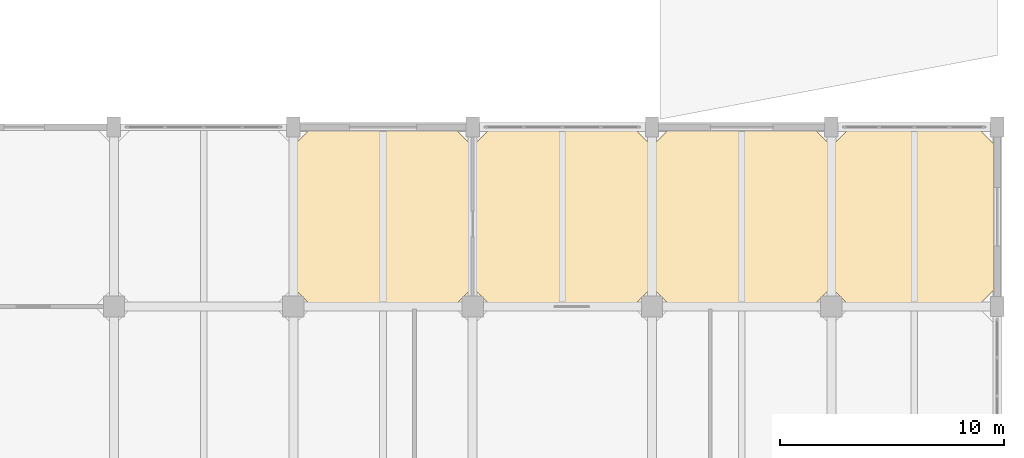
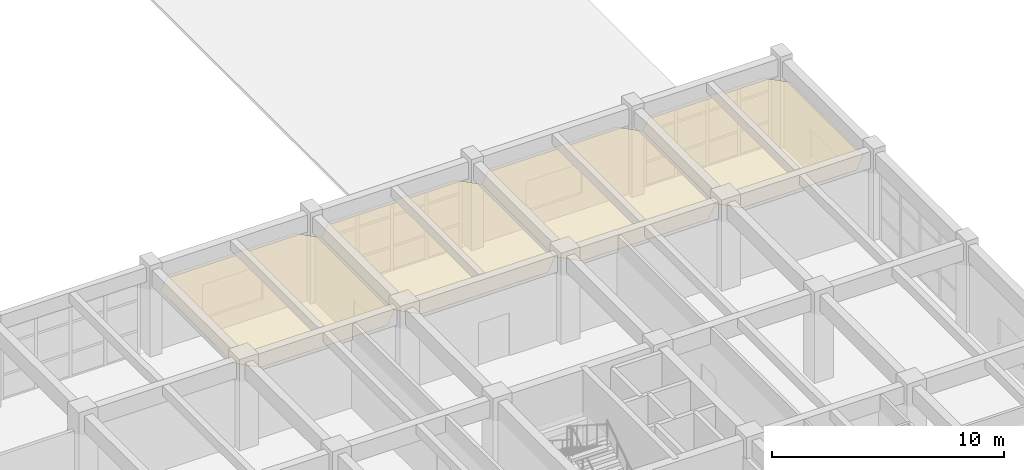
# One storey, part 63 of 63: 4 coverings.
"""IFC4 building model written with IfcOpenShell, lengths in metres."""

from ifc_helpers import new_model, si_unit, direction, frame, origin, place, context, subcontext, project, spatial, polyline, outline, extrude, material, layer, layer_set, type_object, element, save


model = new_model("IFC4")

# Units and contexts
model_context = context("Model", 3, precision=1e-05, world=origin(), true_north=direction((0.0, 1.0)))
body_context = subcontext(model_context, "Body", "Model", "MODEL_VIEW")
ifc_project = project(units=[si_unit("LENGTHUNIT", "METRE"), si_unit("AREAUNIT", "SQUARE_METRE"), si_unit("VOLUMEUNIT", "CUBIC_METRE"), si_unit("PLANEANGLEUNIT", "RADIAN"), si_unit("MASSUNIT", "GRAM", prefix="KILO")], contexts=[model_context])

# Site, building, storey
site_placement = place(None, origin())
site = spatial("IfcSite", under=ifc_project, at=site_placement, CompositionType="ELEMENT")
building_placement = place(site_placement, origin())
building = spatial("IfcBuilding", under=site, at=building_placement, Name="Canggui Botanical Conservatory", CompositionType="ELEMENT")
storey_placement = place(building_placement, frame((0.0, 0.0, 10.199951171875)))
storey = spatial("IfcBuildingStorey", under=building, at=storey_placement, Name="L03", CompositionType="ELEMENT", Elevation=10.199951171875)

# Coverings
ifc_material_1 = material(Name="Mineral Fibre Acoustic Board")
ifc_layer_1 = layer(ifc_material_1, 0.014892578125, Name="Mineral Fibre Acoustic Board")
ifc_layer_set_1 = layer_set([ifc_layer_1], Name="Mineral Fibre Acoustic Board")
covering_type_1 = type_object("IfcCoveringType", Name="COV-CEIL-15", PredefinedType="CEILING", material=ifc_layer_set_1)
covering_1_placement = place(storey_placement, frame((0.0, 0.0, 3.635009765625)))
element("IfcCovering", 1, at=covering_1_placement, inside=storey, type_object=covering_type_1, Name="Suspended Acoustic Ceiling L03-146-74", PredefinedType="CEILING", context=body_context, shape_type="SweptSolid", body=[
    extrude(outline(polyline([(146.85009765625, 74.0), (153.14990234375, 74.0), (154.0, 74.85009765625), (154.0, 81.14990234375), (153.14990234375, 82.0), (146.85009765625, 82.0), (146.0, 81.14990234375), (146.0, 74.85009765625), (146.85009765625, 74.0)])), origin(), (0.0, 0.0, 1.0), 0.01513671875),
])
covering_2_placement = place(storey_placement, frame((0.0, 0.0, 3.635009765625)))
element("IfcCovering", 2, at=covering_2_placement, inside=storey, type_object=covering_type_1, Name="Suspended Acoustic Ceiling L03-162-74", PredefinedType="CEILING", context=body_context, shape_type="SweptSolid", body=[
    extrude(outline(polyline([(162.85009765625, 74.0), (169.14990234375, 74.0), (170.0, 74.85009765625), (170.0, 81.14990234375), (169.14990234375, 82.0), (162.85009765625, 82.0), (162.0, 81.14990234375), (162.0, 74.85009765625), (162.85009765625, 74.0)])), origin(), (0.0, 0.0, 1.0), 0.01513671875),
])
ifc_material_2 = material(Name="Perforated Gypsum Acoustic Panel")
ifc_layer_2 = layer(ifc_material_2, 0.02001953125, Name="Perforated Gypsum Acoustic Panel")
ifc_layer_set_2 = layer_set([ifc_layer_2], Name="Perforated Gypsum Acoustic Panel")
covering_type_2 = type_object("IfcCoveringType", Name="COV-CEIL-20", PredefinedType="CEILING", material=ifc_layer_set_2)
covering_3_placement = place(storey_placement, frame((0.0, 0.0, 3.630126953125)))
element("IfcCovering", 3, at=covering_3_placement, inside=storey, type_object=covering_type_2, Name="Suspended Acoustic Ceiling L03-154-74", PredefinedType="CEILING", context=body_context, shape_type="SweptSolid", body=[
    extrude(outline(polyline([(154.85009765625, 74.0), (161.14990234375, 74.0), (162.0, 74.85009765625), (162.0, 81.14990234375), (161.14990234375, 82.0), (154.85009765625, 82.0), (154.0, 81.14990234375), (154.0, 74.85009765625), (154.85009765625, 74.0)])), origin(), (0.0, 0.0, 1.0), 0.02001953125),
])
covering_4_placement = place(storey_placement, frame((0.0, 0.0, 3.630126953125)))
element("IfcCovering", 4, at=covering_4_placement, inside=storey, type_object=covering_type_2, Name="Suspended Acoustic Ceiling L03-170-74", PredefinedType="CEILING", context=body_context, shape_type="SweptSolid", body=[
    extrude(outline(polyline([(170.85009765625, 74.0), (176.5, 74.0), (177.35009765625, 74.85009765625), (177.35009765625, 81.14990234375), (176.5, 82.0), (170.85009765625, 82.0), (170.0, 81.14990234375), (170.0, 74.85009765625), (170.85009765625, 74.0)])), origin(), (0.0, 0.0, 1.0), 0.02001953125),
])

save(model, "model.ifc")
